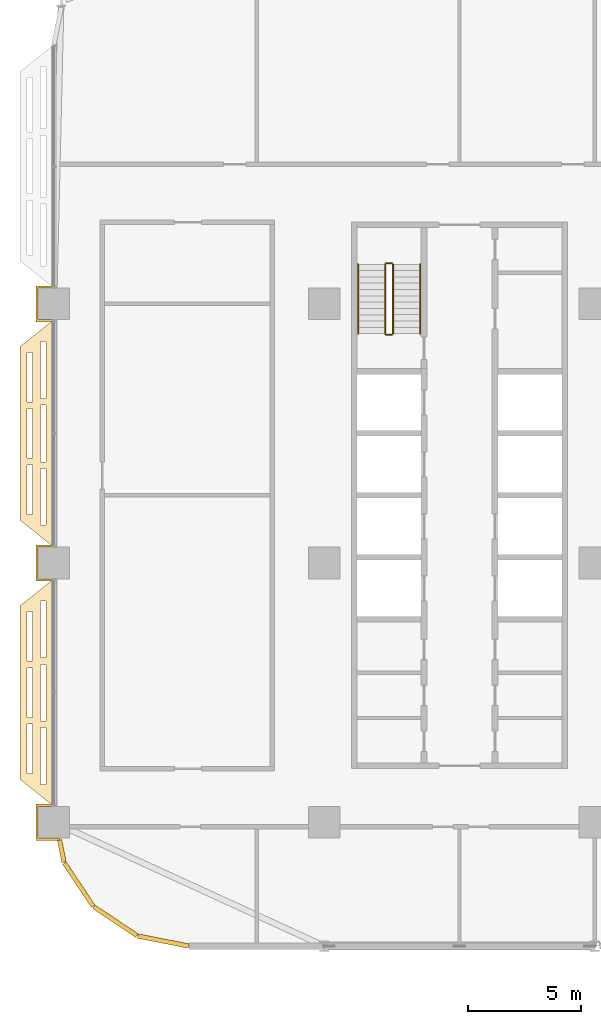
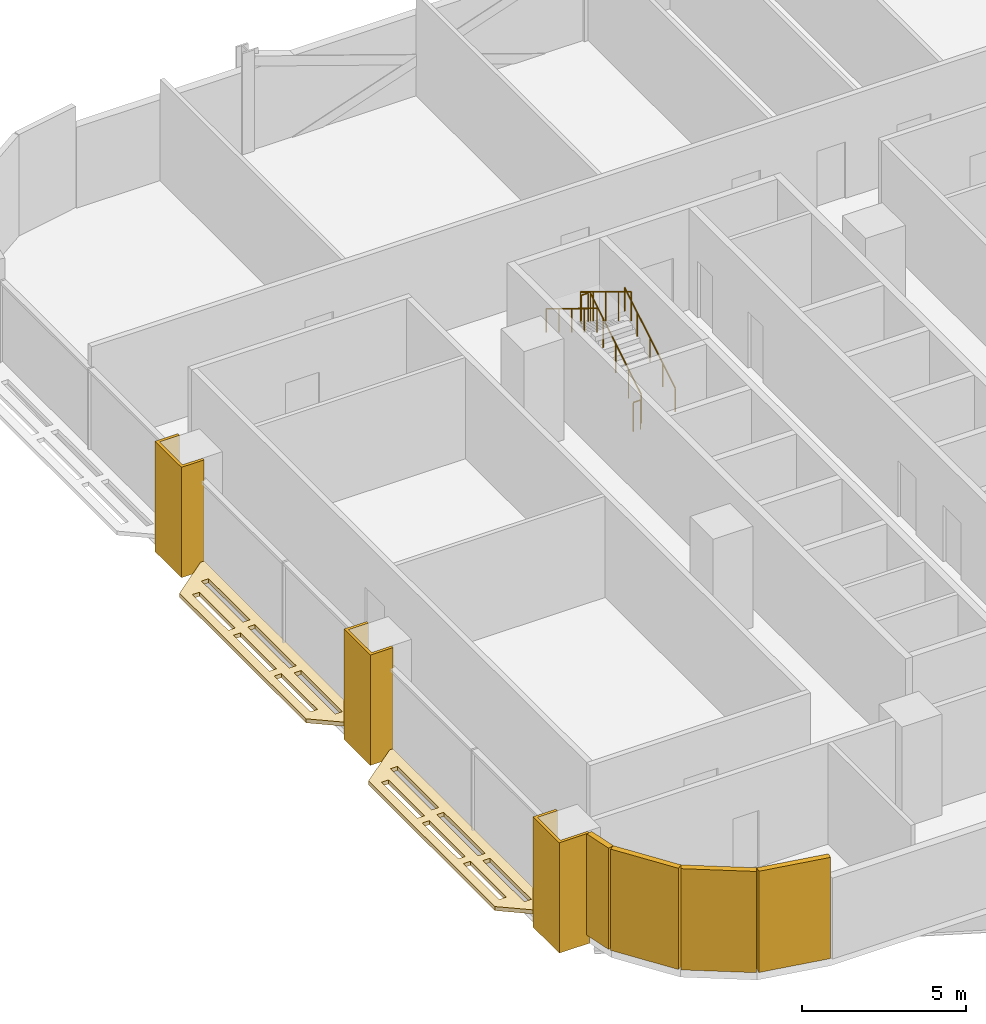
# One storey, part 23 of 29: 9 coverings, 6 railings.
"""IFC4 building model written with IfcOpenShell, lengths in metres."""

from ifc_helpers import new_model, si_unit, direction, frame, origin, origin_2d, place, context, subcontext, project, spatial, polyline, rectangle, circle, outline, extrude, material, layer, layer_set, type_object, element, save


model = new_model("IFC4")

# Units and contexts
model_context = context("Model", 3, precision=1e-05, world=origin(), true_north=direction((0.0, 1.0)))
body_context = subcontext(model_context, "Body", "Model", "MODEL_VIEW")
ifc_project = project(units=[si_unit("LENGTHUNIT", "METRE"), si_unit("AREAUNIT", "SQUARE_METRE"), si_unit("VOLUMEUNIT", "CUBIC_METRE"), si_unit("PLANEANGLEUNIT", "RADIAN"), si_unit("MASSUNIT", "GRAM", prefix="KILO")], contexts=[model_context])

# Site, building, storey
site_placement = place(None, origin())
site = spatial("IfcSite", under=ifc_project, at=site_placement, CompositionType="ELEMENT")
building_placement = place(site_placement, origin())
building = spatial("IfcBuilding", under=site, at=building_placement, Name="Mahtab Terrace Research Tower", CompositionType="ELEMENT")
storey_placement = place(building_placement, frame((0.0, 0.0, 109.39990234375)))
storey = spatial("IfcBuildingStorey", under=building, at=storey_placement, Name="L25", CompositionType="ELEMENT", Elevation=109.39990234375)

# Coverings
ifc_material_1 = material(Name="Black aluminium cladding panel", Category="aluminium")
ifc_layer_1 = layer(ifc_material_1, 0.199951171875)
ifc_layer_set_1 = layer_set([ifc_layer_1], Name="Black metal corner cladding 200")
covering_type_1 = type_object("IfcCoveringType", Name="Black metal corner cladding 200", PredefinedType="CLADDING", material=ifc_layer_set_1)
covering_1_placement = place(storey_placement, frame((-41.645263671875, -12.782470703125, 0.0), z_axis=(0.0, 0.0, 1.0), x_axis=(0.195212442692, -0.980760981187, 0.0)))
element("IfcCovering", 1, at=covering_1_placement, inside=storey, type_object=covering_type_1, Name="Corner cladding L25 19", PredefinedType="CLADDING", context=body_context, shape_type="SweptSolid", body=[
    extrude(rectangle(XDim=1.007568359375, YDim=0.199951171875, at=origin_2d()), origin(), (0.0, 0.0, 1.0), 3.760009765625),
])
for number, where, z_axis, x_axis, name in (
    (2, (-40.89306640625, -14.26953125, 0.0), (0.0, 0.0, 1.0), (0.555291490808, -0.831655794326, 0.0), "Corner cladding L25 20"),
    (3, (-39.26953125, -15.89306640625, 0.0), (0.0, 0.0, 1.0), (0.831655794326, -0.555291490808, 0.0), "Corner cladding L25 21"),
    (4, (-37.14794921875, -16.771484375, 0.0), (0.0, 0.0, 1.0), (0.980760981187, -0.195212442692, 0.0), "Corner cladding L25 22"),
):
    element("IfcCovering", number, at=place(storey_placement, frame(where, z_axis=z_axis, x_axis=x_axis)), inside=storey, type_object=covering_type_1, Name=name, PredefinedType="CLADDING", context=body_context, shape_type="SweptSolid", body=[
        extrude(rectangle(XDim=2.30126953125, YDim=0.199951171875, at=origin_2d()), origin(), (0.0, 0.0, 1.0), 3.760009765625),
    ])
ifc_material_2 = material(Name="Dark anodised aluminium cladding", Category="aluminium")
ifc_layer_2 = layer(ifc_material_2, 0.10009765625)
ifc_layer_set_2 = layer_set([ifc_layer_2], Name="Column casing 100")
covering_type_2 = type_object("IfcCoveringType", Name="Column casing 100", PredefinedType="CLADDING", material=ifc_layer_set_2)
covering_2_placement = place(storey_placement, frame((0.0, 0.0, -0.33984375)))
element("IfcCovering", 5, at=covering_2_placement, inside=storey, type_object=covering_type_2, Name="Column casing RC-1A L25", PredefinedType="CLADDING", context=body_context, shape_type="SweptSolid", body=[
    extrude(outline(polyline([(-42.800048828125, -10.699951171875), (-42.0, -10.699951171875), (-42.0, -10.800048828125), (-42.699951171875, -10.800048828125), (-42.699951171875, -12.199951171875), (-41.760986328125, -12.199951171875), (-41.740966796875, -12.300048828125), (-42.800048828125, -12.300048828125), (-42.800048828125, -10.699951171875)])), origin(), (0.0, 0.0, 1.0), 4.099853515625),
])
covering_3_placement = place(storey_placement, frame((0.0, 0.0, -0.33984375)))
element("IfcCovering", 6, at=covering_3_placement, inside=storey, type_object=covering_type_2, Name="Column casing RC-1B L25", PredefinedType="CLADDING", context=body_context, shape_type="SweptSolid", body=[
    extrude(outline(polyline([(-42.800048828125, 0.800048828125), (-42.0, 0.800048828125), (-42.0, 0.699951171875), (-42.699951171875, 0.699951171875), (-42.699951171875, -0.699951171875), (-42.0, -0.699951171875), (-42.0, -0.800048828125), (-42.800048828125, -0.800048828125), (-42.800048828125, 0.800048828125)])), origin(), (0.0, 0.0, 1.0), 4.099853515625),
])
covering_4_placement = place(storey_placement, frame((0.0, 0.0, -0.33984375)))
element("IfcCovering", 7, at=covering_4_placement, inside=storey, type_object=covering_type_2, Name="Column casing RC-1C L25", PredefinedType="CLADDING", context=body_context, shape_type="SweptSolid", body=[
    extrude(outline(polyline([(-42.800048828125, 12.300048828125), (-42.0, 12.300048828125), (-42.0, 12.199951171875), (-42.699951171875, 12.199951171875), (-42.699951171875, 10.800048828125), (-42.0, 10.800048828125), (-42.0, 10.699951171875), (-42.800048828125, 10.699951171875), (-42.800048828125, 12.300048828125)])), origin(), (0.0, 0.0, 1.0), 4.099853515625),
])
ifc_material_3 = material(Name="Black anodised aluminium", Category="aluminium")
ifc_layer_3 = layer(ifc_material_3, 0.14990234375)
ifc_layer_set_3 = layer_set([ifc_layer_3], Name="Horizontal sunshade band")
covering_type_3 = type_object("IfcCoveringType", Name="Horizontal sunshade band", PredefinedType="CLADDING", material=ifc_layer_set_3)
covering_5_placement = place(storey_placement, frame((0.0, 0.0, -0.14990234375)))
element("IfcCovering", 8, at=covering_5_placement, inside=storey, type_object=covering_type_3, Name="Sunshade band L25 17", PredefinedType="CLADDING", context=body_context, shape_type="SweptSolid", body=[
    extrude(outline(polyline([(-42.0, 10.800048828125), (-42.0, 0.699951171875), (-43.5, 1.89990234375), (-43.5, 9.60009765625), (-42.0, 10.800048828125)]), holes=[polyline([(-42.35009765625, 9.820068359375), (-42.35009765625, 7.306884765625), (-42.60009765625, 7.306884765625), (-42.60009765625, 9.820068359375), (-42.35009765625, 9.820068359375)]), polyline([(-42.35009765625, 7.007080078125), (-42.35009765625, 4.492919921875), (-42.60009765625, 4.492919921875), (-42.60009765625, 7.007080078125), (-42.35009765625, 7.007080078125)]), polyline([(-42.35009765625, 4.193115234375), (-42.35009765625, 1.679931640625), (-42.60009765625, 1.679931640625), (-42.60009765625, 4.193115234375), (-42.35009765625, 4.193115234375)]), polyline([(-42.949951171875, 9.340087890625), (-42.949951171875, 7.14697265625), (-43.199951171875, 7.14697265625), (-43.199951171875, 9.340087890625), (-42.949951171875, 9.340087890625)]), polyline([(-42.949951171875, 6.846923828125), (-42.949951171875, 4.653076171875), (-43.199951171875, 4.653076171875), (-43.199951171875, 6.846923828125), (-42.949951171875, 6.846923828125)]), polyline([(-42.949951171875, 4.35302734375), (-42.949951171875, 2.159912109375), (-43.199951171875, 2.159912109375), (-43.199951171875, 4.35302734375), (-42.949951171875, 4.35302734375)])]), origin(), (0.0, 0.0, 1.0), 0.14990234375),
])
covering_6_placement = place(storey_placement, frame((0.0, 0.0, -0.14990234375)))
element("IfcCovering", 9, at=covering_6_placement, inside=storey, type_object=covering_type_3, Name="Sunshade band L25 18", PredefinedType="CLADDING", context=body_context, shape_type="SweptSolid", body=[
    extrude(outline(polyline([(-42.0, -0.699951171875), (-42.0, -10.800048828125), (-43.5, -9.60009765625), (-43.5, -1.89990234375), (-42.0, -0.699951171875)]), holes=[polyline([(-42.35009765625, -1.679931640625), (-42.35009765625, -4.193115234375), (-42.60009765625, -4.193115234375), (-42.60009765625, -1.679931640625), (-42.35009765625, -1.679931640625)]), polyline([(-42.35009765625, -4.492919921875), (-42.35009765625, -7.007080078125), (-42.60009765625, -7.007080078125), (-42.60009765625, -4.492919921875), (-42.35009765625, -4.492919921875)]), polyline([(-42.35009765625, -7.306884765625), (-42.35009765625, -9.820068359375), (-42.60009765625, -9.820068359375), (-42.60009765625, -7.306884765625), (-42.35009765625, -7.306884765625)]), polyline([(-42.949951171875, -2.159912109375), (-42.949951171875, -4.35302734375), (-43.199951171875, -4.35302734375), (-43.199951171875, -2.159912109375), (-42.949951171875, -2.159912109375)]), polyline([(-42.949951171875, -4.653076171875), (-42.949951171875, -6.846923828125), (-43.199951171875, -6.846923828125), (-43.199951171875, -4.653076171875), (-42.949951171875, -4.653076171875)]), polyline([(-42.949951171875, -7.14697265625), (-42.949951171875, -9.340087890625), (-43.199951171875, -9.340087890625), (-43.199951171875, -7.14697265625), (-42.949951171875, -7.14697265625)])]), origin(), (0.0, 0.0, 1.0), 0.14990234375),
])

# Railings
ifc_material_4 = material(Name="Stainless steel AISI 304", Category="steel")
railing_type_1 = type_object("IfcRailingType", Name="Stair guard 1100", PredefinedType="GUARDRAIL", material=ifc_material_4)
railing_1_placement = place(storey_placement, frame((-26.949951171875, 10.175048828125, 0.1708984375)))
element("IfcRailing", 10, at=railing_1_placement, inside=storey, type_object=railing_type_1, Name="L25 ST1 stair guard 1", PredefinedType="GUARDRAIL", context=body_context, shape_type="SweptSolid", body=[
    extrude(circle(Radius=0.02392578125, at=origin_2d()), frame((0.0, 0.0, 1.076171875), z_axis=(0.0, 0.853647949592, 0.520850437417), x_axis=(-1.0, 0.0, 0.0)), (0.0, 0.0, 1.0), 3.60791015625),
    extrude(circle(Radius=0.02099609375, at=origin_2d()), origin(), (0.0, 0.0, 1.0), 1.052001953125),
    extrude(circle(Radius=0.02099609375, at=origin_2d()), frame((0.0, 0.77001953125, 0.4697265625)), (0.0, 0.0, 1.0), 1.052001953125),
    extrude(circle(Radius=0.02099609375, at=origin_2d()), frame((0.0, 1.5400390625, 0.939453125)), (0.0, 0.0, 1.0), 1.052001953125),
    extrude(circle(Radius=0.02099609375, at=origin_2d()), frame((0.0, 2.309814453125, 1.409423828125)), (0.0, 0.0, 1.0), 1.052001953125),
    extrude(circle(Radius=0.02099609375, at=origin_2d()), frame((0.0, 3.079833984375, 1.879150390625)), (0.0, 0.0, 1.0), 1.052001953125),
])
railing_2_placement = place(storey_placement, frame((-27.0, 13.304931640625, 2.050048828125)))
element("IfcRailing", 11, at=railing_2_placement, inside=storey, type_object=railing_type_1, Name="L25 ST1 stair guard 2", PredefinedType="GUARDRAIL", context=body_context, shape_type="SweptSolid", body=[
    extrude(circle(Radius=0.02392578125, at=origin_2d()), frame((0.0, 0.0, 1.076171875), z_axis=(-1.0, 0.0, 0.0), x_axis=(0.0, -1.0, 0.0)), (0.0, 0.0, 1.0), 0.25),
    extrude(circle(Radius=0.02099609375, at=origin_2d()), origin(), (0.0, 0.0, 1.0), 1.052001953125),
    extrude(circle(Radius=0.02099609375, at=origin_2d()), frame((-0.25, 0.0, 0.0)), (0.0, 0.0, 1.0), 1.052001953125),
])
railing_3_placement = place(storey_placement, frame((-27.300048828125, 13.2548828125, 2.220947265625)))
element("IfcRailing", 12, at=railing_3_placement, inside=storey, type_object=railing_type_1, Name="L25 ST1 stair guard 3", PredefinedType="GUARDRAIL", context=body_context, shape_type="SweptSolid", body=[
    extrude(circle(Radius=0.02392578125, at=origin_2d()), frame((0.0, 0.0, 1.076171875), z_axis=(0.0, -0.853647949592, 0.520850437417), x_axis=(1.0, 0.0, 0.0)), (0.0, 0.0, 1.0), 3.60791015625),
    extrude(circle(Radius=0.02099609375, at=origin_2d()), origin(), (0.0, 0.0, 1.0), 1.052001953125),
    extrude(circle(Radius=0.02099609375, at=origin_2d()), frame((0.0, -0.77001953125, 0.4697265625)), (0.0, 0.0, 1.0), 1.052001953125),
    extrude(circle(Radius=0.02099609375, at=origin_2d()), frame((0.0, -1.5400390625, 0.939453125)), (0.0, 0.0, 1.0), 1.052001953125),
    extrude(circle(Radius=0.02099609375, at=origin_2d()), frame((0.0, -2.309814453125, 1.409423828125)), (0.0, 0.0, 1.0), 1.052001953125),
    extrude(circle(Radius=0.02099609375, at=origin_2d()), frame((0.0, -3.079833984375, 1.879150390625)), (0.0, 0.0, 1.0), 1.052001953125),
])
railing_4_placement = place(storey_placement, frame((-27.0, 10.125, 0.0)))
element("IfcRailing", 13, at=railing_4_placement, inside=storey, type_object=railing_type_1, Name="L25 ST1 stair guard 4", PredefinedType="GUARDRAIL", context=body_context, shape_type="SweptSolid", body=[
    extrude(circle(Radius=0.02392578125, at=origin_2d()), frame((0.0, 0.0, 1.076171875), z_axis=(-1.0, 0.0, 0.0), x_axis=(0.0, -1.0, 0.0)), (0.0, 0.0, 1.0), 0.25),
    extrude(circle(Radius=0.02099609375, at=origin_2d()), origin(), (0.0, 0.0, 1.0), 1.052001953125),
    extrude(circle(Radius=0.02099609375, at=origin_2d()), frame((-0.25, 0.0, 0.0)), (0.0, 0.0, 1.0), 1.052001953125),
])
railing_type_2 = type_object("IfcRailingType", Name="Stair handrail 900", PredefinedType="HANDRAIL", material=ifc_material_4)
railing_5_placement = place(storey_placement, frame((-25.75, 10.175048828125, 0.1708984375)))
element("IfcRailing", 14, at=railing_5_placement, inside=storey, type_object=railing_type_2, Name="L25 ST1 stair handrail 1", PredefinedType="HANDRAIL", context=body_context, shape_type="SweptSolid", body=[
    extrude(circle(Radius=0.02392578125, at=origin_2d()), frame((0.0, 0.0, 0.8759765625), z_axis=(0.0, 0.853647949592, 0.520850437417), x_axis=(-1.0, 0.0, 0.0)), (0.0, 0.0, 1.0), 3.60791015625),
    extrude(circle(Radius=0.02099609375, at=origin_2d()), origin(), (0.0, 0.0, 1.0), 0.851806640625),
    extrude(circle(Radius=0.02099609375, at=origin_2d()), frame((0.0, 0.77001953125, 0.4697265625)), (0.0, 0.0, 1.0), 0.851806640625),
    extrude(circle(Radius=0.02099609375, at=origin_2d()), frame((0.0, 1.5400390625, 0.939453125)), (0.0, 0.0, 1.0), 0.851806640625),
    extrude(circle(Radius=0.02099609375, at=origin_2d()), frame((0.0, 2.309814453125, 1.409423828125)), (0.0, 0.0, 1.0), 0.851806640625),
    extrude(circle(Radius=0.02099609375, at=origin_2d()), frame((0.0, 3.079833984375, 1.879150390625)), (0.0, 0.0, 1.0), 0.851806640625),
])
railing_6_placement = place(storey_placement, frame((-28.5, 13.2548828125, 2.220947265625)))
element("IfcRailing", 15, at=railing_6_placement, inside=storey, type_object=railing_type_2, Name="L25 ST1 stair handrail 2", PredefinedType="HANDRAIL", context=body_context, shape_type="SweptSolid", body=[
    extrude(circle(Radius=0.02392578125, at=origin_2d()), frame((0.0, 0.0, 0.8759765625), z_axis=(0.0, -0.853647949592, 0.520850437417), x_axis=(1.0, 0.0, 0.0)), (0.0, 0.0, 1.0), 3.60791015625),
    extrude(circle(Radius=0.02099609375, at=origin_2d()), origin(), (0.0, 0.0, 1.0), 0.851806640625),
    extrude(circle(Radius=0.02099609375, at=origin_2d()), frame((0.0, -0.77001953125, 0.4697265625)), (0.0, 0.0, 1.0), 0.851806640625),
    extrude(circle(Radius=0.02099609375, at=origin_2d()), frame((0.0, -1.5400390625, 0.939453125)), (0.0, 0.0, 1.0), 0.851806640625),
    extrude(circle(Radius=0.02099609375, at=origin_2d()), frame((0.0, -2.309814453125, 1.409423828125)), (0.0, 0.0, 1.0), 0.851806640625),
    extrude(circle(Radius=0.02099609375, at=origin_2d()), frame((0.0, -3.079833984375, 1.879150390625)), (0.0, 0.0, 1.0), 0.851806640625),
])

save(model, "model.ifc")
